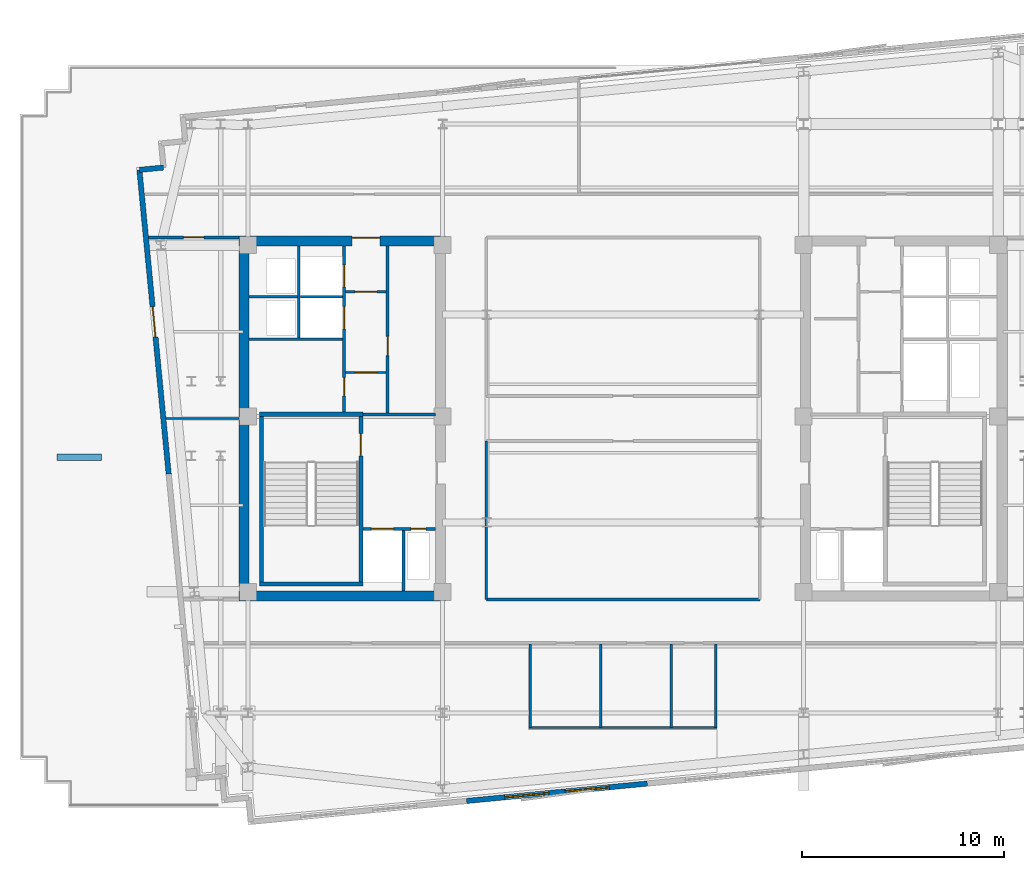
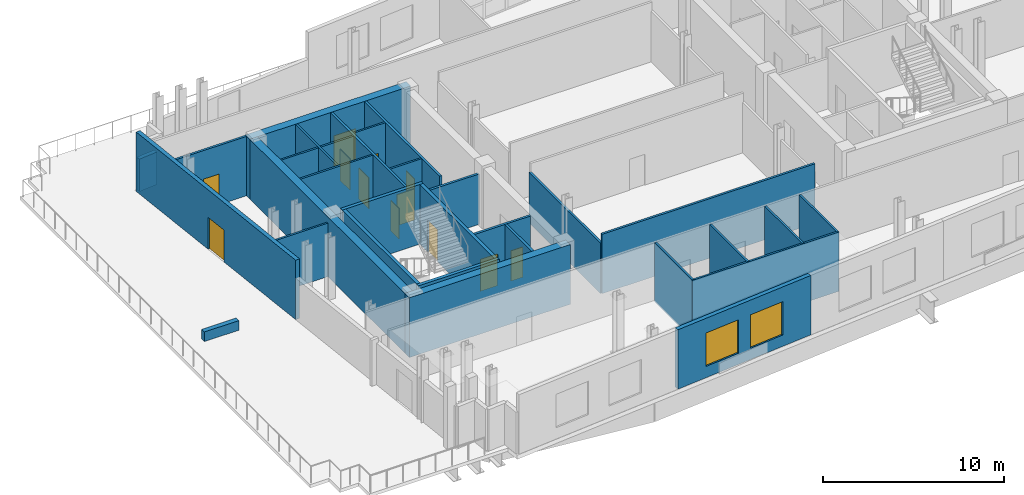
# One storey, part 5 of 11: 31 walls, 12 doors, 2 windows, 14 openings.
"""IFC4 building model written with IfcOpenShell, lengths in metres."""

from ifc_helpers import new_model, si_unit, direction, frame, frame_2d, origin, place, context, subcontext, project, spatial, rectangle, extrude, material, layer, layer_set, type_object, element, fill, save


model = new_model("IFC4")

# Units and contexts
model_context = context("Model", 3, precision=1e-05, world=origin(), true_north=direction((0.0, 1.0)))
body_context = subcontext(model_context, "Body", "Model", "MODEL_VIEW")
ifc_project = project(units=[si_unit("LENGTHUNIT", "METRE"), si_unit("AREAUNIT", "SQUARE_METRE"), si_unit("VOLUMEUNIT", "CUBIC_METRE"), si_unit("PLANEANGLEUNIT", "RADIAN"), si_unit("MASSUNIT", "GRAM", prefix="KILO")], contexts=[model_context])

# Site, building, storey
site_placement = place(None, origin())
site = spatial("IfcSite", under=ifc_project, at=site_placement, CompositionType="ELEMENT")
building_placement = place(site_placement, origin())
building = spatial("IfcBuilding", under=site, at=building_placement, Name="Velakula Bourse", CompositionType="ELEMENT")
storey_placement = place(building_placement, frame((0.0, 0.0, 247.5)))
storey = spatial("IfcBuildingStorey", under=building, at=storey_placement, Name="L67", CompositionType="ELEMENT", Elevation=247.5)

# Wall, opening, door
ifc_material_1 = material(Name="Concrete M50 (fck 50 MPa)", Category="concrete")
ifc_layer_1 = layer(ifc_material_1, 0.2099609375, Name="Concrete M50 (fck 50 MPa)", Category="concrete")
ifc_layer_set_1 = layer_set([ifc_layer_1], Name="Concrete M50 (fck 50 MPa)")
wall_type_1 = type_object("IfcWallType", Name="WL-CORE-210", PredefinedType="SHEAR", material=ifc_layer_set_1)
wall_1_placement = place(storey_placement, frame((-12.9951171875, -8.10009765625, 0.0), z_axis=(0.0, 0.0, 1.0), x_axis=(0.0, 1.0, 0.0)))
wall_1 = element("IfcWall", 1, at=wall_1_placement, inside=storey, type_object=wall_type_1, Name="L67 Core W Stairwell Shear Wall IN", PredefinedType="SHEAR", context=body_context, shape_type="SweptSolid", body=[
    extrude(rectangle(XDim=8.2001953125, YDim=0.2099609375, at=frame_2d((4.10009765625, 0.0))), origin(), (0.0, 0.0, 1.0), 4.02001953125),
])
opening_1_placement = place(wall_1_placement, frame((6.25, 0.0, 0.0)))
opening_1 = element("IfcOpeningElement", 2, at=opening_1_placement, cuts=wall_1, Name="Opening D-STW1", PredefinedType="OPENING", context=body_context, shape_type="SweptSolid", body=[
    extrude(rectangle(XDim=1.10009765625, YDim=2.14990234375, at=frame_2d((0.550048828125, 1.074951171875))), frame((0.0, 0.114990234375, 0.0), z_axis=(0.0, -1.0, 0.0), x_axis=(1.0, 0.0, 0.0)), (0.0, 0.0, 1.0), 0.22998046875),
])
ifc_material_2 = material(Name="Galvanised painted hollow steel fire door", Category="steel")
door_type_1 = type_object("IfcDoorType", Name="DR-FD120-1100x2150", OperationType="NOTDEFINED", PredefinedType="DOOR", material=ifc_material_2)
door_1_placement = place(opening_1_placement, origin())
door_1 = element("IfcDoor", 3, at=door_1_placement, inside=storey, type_object=door_type_1, Name="L67 Stair ST-W1 Fire Door", OperationType="SINGLE_SWING_LEFT", OverallHeight=2.14990234375, OverallWidth=1.10009765625, PredefinedType="DOOR", context=body_context, shape_type="SweptSolid", body=[
    extrude(rectangle(XDim=1.10009765625, YDim=2.14990234375, at=frame_2d((0.550048828125, 1.074951171875))), frame((0.0, 0.02490234375, 0.0), z_axis=(0.0, -1.0, 0.0), x_axis=(1.0, 0.0, 0.0)), (0.0, 0.0, 1.0), 0.050048828125),
])
fill(opening_1, door_1)

# Walls
wall_2_placement = place(storey_placement, frame((-17.925048828125, -8.10009765625, 0.0), z_axis=(0.0, 0.0, 1.0), x_axis=(0.0, 1.0, 0.0)))
element("IfcWall", 4, at=wall_2_placement, inside=storey, type_object=wall_type_1, Name="L67 Core W Stairwell Shear Wall OUT", PredefinedType="SHEAR", context=body_context, shape_type="SweptSolid", body=[
    extrude(rectangle(XDim=8.2001953125, YDim=0.2099609375, at=frame_2d((4.10009765625, 0.0))), origin(), (0.0, 0.0, 1.0), 4.02001953125),
])
for number, where, z_axis, x_axis, name in (
    (5, (-18.030029296875, -8.205078125, 0.0), (0.0, 0.0, 1.0), (1.0, 0.0, 0.0), "L67 Core W Stairwell Shear Wall S"),
    (6, (-12.889892578125, 0.205078125, 0.0), (0.0, 0.0, 1.0), (-1.0, 0.0, 0.0), "L67 Core W Stairwell Shear Wall N"),
):
    element("IfcWall", number, at=place(storey_placement, frame(where, z_axis=z_axis, x_axis=x_axis)), inside=storey, type_object=wall_type_1, Name=name, PredefinedType="SHEAR", context=body_context, shape_type="SweptSolid", body=[
        extrude(rectangle(XDim=5.14013671875, YDim=0.2099609375, at=frame_2d((2.570068359375, 0.0))), origin(), (0.0, 0.0, 1.0), 4.02001953125),
    ])
ifc_layer_2 = layer(ifc_material_1, 0.5, Name="Concrete M50 (fck 50 MPa)", Category="concrete")
ifc_layer_set_2 = layer_set([ifc_layer_2], Name="Concrete M50 (fck 50 MPa)")
wall_type_2 = type_object("IfcWallType", Name="WL-CORE-500", PredefinedType="SHEAR", material=ifc_layer_set_2)
wall_3_placement = place(storey_placement, frame((-19.050048828125, -8.800048828125, 0.0), z_axis=(0.0, 0.0, 1.0), x_axis=(1.0, 0.0, 0.0)))
element("IfcWall", 7, at=wall_3_placement, inside=storey, type_object=wall_type_2, Name="L67 Core W Shear Wall S", PredefinedType="SHEAR", context=body_context, shape_type="SweptSolid", body=[
    extrude(rectangle(XDim=10.25, YDim=0.5, at=frame_2d((5.125, 0.0))), origin(), (0.0, 0.0, 1.0), 4.02001953125),
])

# Wall, opening, door
wall_4_placement = place(storey_placement, frame((-19.050048828125, 8.800048828125, 0.0), z_axis=(0.0, 0.0, 1.0), x_axis=(1.0, 0.0, 0.0)))
wall_4 = element("IfcWall", 8, at=wall_4_placement, inside=storey, type_object=wall_type_2, Name="L67 Core W Shear Wall N", PredefinedType="SHEAR", context=body_context, shape_type="SweptSolid", body=[
    extrude(rectangle(XDim=10.25, YDim=0.5, at=frame_2d((5.125, 0.0))), origin(), (0.0, 0.0, 1.0), 4.02001953125),
])
opening_2_placement = place(wall_4_placement, frame((5.60009765625, 0.0, 0.0)))
opening_2 = element("IfcOpeningElement", 9, at=opening_2_placement, cuts=wall_4, Name="Opening D-LLW", PredefinedType="OPENING", context=body_context, shape_type="SweptSolid", body=[
    extrude(rectangle(XDim=1.39990234375, YDim=2.050048828125, at=frame_2d((0.699951171875, 1.02490234375))), frame((0.0, 0.260009765625, 0.0), z_axis=(0.0, -1.0, 0.0), x_axis=(1.0, 0.0, 0.0)), (0.0, 0.0, 1.0), 0.52001953125),
])
ifc_material_3 = material(Name="Fire-rated hardwood flush architectural door", Category="wood")
door_type_2 = type_object("IfcDoorType", Name="DR-DBL-FD60-1400", OperationType="DOUBLE_DOOR_SINGLE_SWING", PredefinedType="DOOR", material=ifc_material_3)
door_2_placement = place(opening_2_placement, origin())
door_2 = element("IfcDoor", 10, at=door_2_placement, inside=storey, type_object=door_type_2, Name="L67 Core W Lift Lobby Corridor Double Door", OperationType="DOUBLE_DOOR_SINGLE_SWING", OverallHeight=2.050048828125, OverallWidth=1.39990234375, PredefinedType="DOOR", context=body_context, shape_type="SweptSolid", body=[
    extrude(rectangle(XDim=1.39990234375, YDim=2.050048828125, at=frame_2d((0.699951171875, 1.02490234375))), frame((0.0, 0.19482421875, 0.0), z_axis=(0.0, -1.0, 0.0), x_axis=(1.0, 0.0, 0.0)), (0.0, 0.0, 1.0), 0.050048828125),
])
fill(opening_2, door_2)

# Wall
wall_5_placement = place(storey_placement, frame((-18.800048828125, -8.550048828125, 0.0), z_axis=(0.0, 0.0, 1.0), x_axis=(0.0, 1.0, 0.0)))
element("IfcWall", 11, at=wall_5_placement, inside=storey, type_object=wall_type_2, Name="L67 Core W Shear Wall W", PredefinedType="SHEAR", context=body_context, shape_type="SweptSolid", body=[
    extrude(rectangle(XDim=17.10009765625, YDim=0.5, at=frame_2d((8.550048828125, 0.0))), origin(), (0.0, 0.0, 1.0), 4.02001953125),
])

# Wall, openings, windows
ifc_material_4 = material(Name="Buff kilned clay facing brick masonry", Category="masonry")
ifc_layer_3 = layer(ifc_material_4, 0.260009765625, Name="Buff kilned clay facing brick masonry", Category="masonry")
ifc_layer_set_3 = layer_set([ifc_layer_3], Name="Buff kilned clay facing brick masonry")
wall_type_3 = type_object("IfcWallType", Name="WL-EXT-BRK-260", PredefinedType="STANDARD", material=ifc_layer_set_3)
wall_6_placement = place(storey_placement, frame((1.202880859375, -18.1005859375, 0.0), z_axis=(0.0, 0.0, 1.0), x_axis=(-0.995397043619, -0.095836973841, 0.0)))
wall_6 = element("IfcWall", 12, at=wall_6_placement, inside=storey, type_object=wall_type_3, Name="L67 S Brick Spandrel Wall B2", PredefinedType="STANDARD", context=body_context, shape_type="SweptSolid", body=[
    extrude(rectangle(XDim=9.000244140625, YDim=0.260009765625, at=frame_2d((4.5, 0.0))), origin(), (0.0, 0.0, 1.0), 4.0),
])
opening_3_placement = place(wall_6_placement, frame((1.89990234375, 0.0, 0.760009765625)))
opening_3 = element("IfcOpeningElement", 13, at=opening_3_placement, cuts=wall_6, Name="Opening W-08", PredefinedType="OPENING", context=body_context, shape_type="SweptSolid", body=[
    extrude(rectangle(XDim=2.199951171875, YDim=2.25, at=frame_2d((1.10009765625, 1.125))), frame((0.0, 0.139892578125, 0.0), z_axis=(0.0, -1.0, 0.0), x_axis=(1.0, 0.0, 0.0)), (0.0, 0.0, 1.0), 0.280029296875),
])
opening_4_placement = place(wall_6_placement, frame((4.89990234375, 0.0, 0.760009765625)))
opening_4 = element("IfcOpeningElement", 14, at=opening_4_placement, cuts=wall_6, Name="Opening W-08", PredefinedType="OPENING", context=body_context, shape_type="SweptSolid", body=[
    extrude(rectangle(XDim=2.199951171875, YDim=2.25, at=frame_2d((1.10009765625, 1.125))), frame((0.0, 0.139892578125, 0.0), z_axis=(0.0, -1.0, 0.0), x_axis=(1.0, 0.0, 0.0)), (0.0, 0.0, 1.0), 0.280029296875),
])
ifc_material_5 = material(Name="Double-glazed solar-control Low-E glass", Category="glass")
window_type = type_object("IfcWindowType", Name="WIN-SL-2200x2500", PartitioningType="DOUBLE_PANEL_VERTICAL", PredefinedType="WINDOW", material=ifc_material_5)
window_1_placement = place(opening_3_placement, origin())
window_1 = element("IfcWindow", 15, at=window_1_placement, inside=storey, type_object=window_type, Name="L67 Deep-Set Recessed Window 1", OverallHeight=2.25, OverallWidth=2.199951171875, PartitioningType="DOUBLE_PANEL_VERTICAL", PredefinedType="WINDOW", context=body_context, shape_type="SweptSolid", body=[
    extrude(rectangle(XDim=2.199951171875, YDim=2.25, at=frame_2d((1.10009765625, 1.125))), frame((0.0, 0.030029296875, 0.0), z_axis=(0.0, -1.0, 0.0), x_axis=(1.0, 0.0, 0.0)), (0.0, 0.0, 1.0), 0.06005859375),
])
fill(opening_3, window_1)
window_2_placement = place(opening_4_placement, origin())
window_2 = element("IfcWindow", 16, at=window_2_placement, inside=storey, type_object=window_type, Name="L67 Deep-Set Recessed Window 2", OverallHeight=2.25, OverallWidth=2.199951171875, PartitioningType="DOUBLE_PANEL_VERTICAL", PredefinedType="WINDOW", context=body_context, shape_type="SweptSolid", body=[
    extrude(rectangle(XDim=2.199951171875, YDim=2.25, at=frame_2d((1.10009765625, 1.125))), frame((0.0, 0.030029296875, 0.0), z_axis=(0.0, -1.0, 0.0), x_axis=(1.0, 0.0, 0.0)), (0.0, 0.0, 1.0), 0.06005859375),
])
fill(opening_4, window_2)

# Wall, opening, door
wall_7_placement = place(storey_placement, frame((-22.52734375, -2.75439453125, 0.0), z_axis=(0.0, 0.0, 1.0), x_axis=(-0.095850890337, 0.995395703638, 0.0)))
wall_7 = element("IfcWall", 17, at=wall_7_placement, inside=storey, type_object=wall_type_3, Name="L67 W Brick End Wall W2", PredefinedType="STANDARD", context=body_context, shape_type="SweptSolid", body=[
    extrude(rectangle(XDim=15.150146484375, YDim=0.260009765625, at=frame_2d((7.5751953125, 0.0))), origin(), (0.0, 0.0, 1.0), 4.0),
])
opening_5_placement = place(wall_7_placement, frame((6.824951171875, 0.0, 0.0)))
opening_5 = element("IfcOpeningElement", 18, at=opening_5_placement, cuts=wall_7, Name="Opening D-TR1", PredefinedType="OPENING", context=body_context, shape_type="SweptSolid", body=[
    extrude(rectangle(XDim=1.5, YDim=2.14990234375, at=frame_2d((0.75, 1.074951171875))), frame((0.0, 0.139892578125, 0.0), z_axis=(0.0, -1.0, 0.0), x_axis=(1.0, 0.0, 0.0)), (0.0, 0.0, 1.0), 0.280029296875),
])
ifc_material_6 = material(Name="Anodised bronze architectural aluminium", Category="aluminium")
door_type_3 = type_object("IfcDoorType", Name="DR-EXT-TERR-1500", OperationType="DOUBLE_DOOR_SINGLE_SWING", PredefinedType="DOOR", material=ifc_material_6)
door_3_placement = place(opening_5_placement, origin())
door_3 = element("IfcDoor", 19, at=door_3_placement, inside=storey, type_object=door_type_3, Name="L67 Sky-Garden Terrace Access Door 3", OperationType="DOUBLE_DOOR_SINGLE_SWING", OverallHeight=2.14990234375, OverallWidth=1.5, PredefinedType="DOOR", context=body_context, shape_type="SweptSolid", body=[
    extrude(rectangle(XDim=1.5, YDim=2.14990234375, at=frame_2d((0.75, 1.074951171875))), frame((0.0, 0.02490234375, 0.0), z_axis=(0.0, -1.0, 0.0), x_axis=(1.0, 0.0, 0.0)), (0.0, 0.0, 1.0), 0.050048828125),
])
fill(opening_5, door_3)

# Walls
wall_8_placement = place(storey_placement, frame((-22.784912109375, 12.44091796875, 0.0), z_axis=(0.0, 0.0, 1.0), x_axis=(-0.995398960025, -0.095817067274, 0.0)))
element("IfcWall", 20, at=wall_8_placement, inside=storey, type_object=wall_type_3, Name="L67 Serrated Corner Brick Wall NW-4", PredefinedType="STANDARD", context=body_context, shape_type="SweptSolid", body=[
    extrude(rectangle(XDim=1.2001953125, YDim=0.260009765625, at=frame_2d((0.60009765625, 0.0))), origin(), (0.0, 0.0, 1.0), 2.195068359375),
])
ifc_material_7 = material(Name="Red kilned clay facing brick masonry", Category="masonry")
ifc_layer_4 = layer(ifc_material_7, 0.300048828125, Name="Red kilned clay facing brick masonry", Category="masonry")
ifc_layer_set_4 = layer_set([ifc_layer_4], Name="Red kilned clay facing brick masonry")
wall_type_4 = type_object("IfcWallType", Name="WL-PAR-PLN-300", PredefinedType="PARAPET", material=ifc_layer_set_4)
wall_9_placement = place(storey_placement, frame((-28.068359375, -1.92236328125, 0.0), z_axis=(0.0, 0.0, 1.0), x_axis=(1.0, 0.0, 0.0)))
element("IfcWall", 21, at=wall_9_placement, inside=storey, type_object=wall_type_4, Name="L67 Sky-Garden Brick Planter 1", PredefinedType="PARAPET", context=body_context, shape_type="SweptSolid", body=[
    extrude(rectangle(XDim=2.199951171875, YDim=0.300048828125, at=frame_2d((1.10009765625, 0.0))), origin(), (0.0, 0.0, 1.0), 0.64990234375),
])

# Wall, opening, door
ifc_material_8 = material(Name="Fire-rated double-layer gypsum drywall partition", Category="gypsum")
ifc_layer_5 = layer(ifc_material_8, 0.1201171875, Name="Fire-rated double-layer gypsum drywall partition", Category="gypsum")
ifc_layer_set_5 = layer_set([ifc_layer_5], Name="Fire-rated double-layer gypsum drywall partition")
wall_type_5 = type_object("IfcWallType", Name="WL-PART-120", PredefinedType="STANDARD", material=ifc_layer_set_5)
wall_10_placement = place(storey_placement, frame((-13.75, 2.280029296875, 0.0), z_axis=(0.0, 0.0, 1.0), x_axis=(1.0, 0.0, 0.0)))
wall_10 = element("IfcWall", 22, at=wall_10_placement, inside=storey, type_object=wall_type_5, Name="L67 Interior Partition WL-CRW-L67-LL-K3A", PredefinedType="STANDARD", context=body_context, shape_type="SweptSolid", body=[
    extrude(rectangle(XDim=2.0, YDim=0.1201171875, at=frame_2d((1.0, 0.0))), origin(), (0.0, 0.0, 1.0), 4.0),
])
opening_6_placement = place(wall_10_placement, frame((0.449951171875, 0.0, 0.0)))
opening_6 = element("IfcOpeningElement", 23, at=opening_6_placement, cuts=wall_10, Name="Opening D-LK3", PredefinedType="OPENING", context=body_context, shape_type="SweptSolid", body=[
    extrude(rectangle(XDim=1.10009765625, YDim=2.10009765625, at=frame_2d((0.550048828125, 1.050048828125))), frame((0.0, 0.070068359375, 0.0), z_axis=(0.0, -1.0, 0.0), x_axis=(1.0, 0.0, 0.0)), (0.0, 0.0, 1.0), 0.14013671875),
])
door_type_4 = type_object("IfcDoorType", Name="DR-FD60-1100x2100", OperationType="NOTDEFINED", PredefinedType="DOOR", material=ifc_material_3)
door_4_placement = place(opening_6_placement, origin())
door_4 = element("IfcDoor", 24, at=door_4_placement, inside=storey, type_object=door_type_4, Name="L67 Core W Lift Lobby Vestibule Door A", OperationType="SINGLE_SWING_RIGHT", OverallHeight=2.10009765625, OverallWidth=1.10009765625, PredefinedType="DOOR", context=body_context, shape_type="SweptSolid", body=[
    extrude(rectangle(XDim=1.10009765625, YDim=2.10009765625, at=frame_2d((0.550048828125, 1.050048828125))), frame((0.0, 0.02490234375, 0.0), z_axis=(0.0, -1.0, 0.0), x_axis=(1.0, 0.0, 0.0)), (0.0, 0.0, 1.0), 0.050048828125),
])
fill(opening_6, door_4)

wall_11_placement = place(storey_placement, frame((-13.75, 6.280029296875, 0.0), z_axis=(0.0, 0.0, 1.0), x_axis=(1.0, 0.0, 0.0)))
wall_11 = element("IfcWall", 25, at=wall_11_placement, inside=storey, type_object=wall_type_5, Name="L67 Interior Partition WL-CRW-L67-LL-K3B", PredefinedType="STANDARD", context=body_context, shape_type="SweptSolid", body=[
    extrude(rectangle(XDim=2.0, YDim=0.1201171875, at=frame_2d((1.0, 0.0))), origin(), (0.0, 0.0, 1.0), 4.0),
])
opening_7_placement = place(wall_11_placement, frame((0.449951171875, 0.0, 0.0)))
opening_7 = element("IfcOpeningElement", 26, at=opening_7_placement, cuts=wall_11, Name="Opening D-LK3", PredefinedType="OPENING", context=body_context, shape_type="SweptSolid", body=[
    extrude(rectangle(XDim=1.10009765625, YDim=2.10009765625, at=frame_2d((0.550048828125, 1.050048828125))), frame((0.0, 0.070068359375, 0.0), z_axis=(0.0, -1.0, 0.0), x_axis=(1.0, 0.0, 0.0)), (0.0, 0.0, 1.0), 0.14013671875),
])
door_5_placement = place(opening_7_placement, origin())
door_5 = element("IfcDoor", 27, at=door_5_placement, inside=storey, type_object=door_type_4, Name="L67 Core W Lift Lobby Vestibule Door B", OperationType="SINGLE_SWING_RIGHT", OverallHeight=2.10009765625, OverallWidth=1.10009765625, PredefinedType="DOOR", context=body_context, shape_type="SweptSolid", body=[
    extrude(rectangle(XDim=1.10009765625, YDim=2.10009765625, at=frame_2d((0.550048828125, 1.050048828125))), frame((0.0, 0.02490234375, 0.0), z_axis=(0.0, -1.0, 0.0), x_axis=(1.0, 0.0, 0.0)), (0.0, 0.0, 1.0), 0.050048828125),
])
fill(opening_7, door_5)

# Walls
wall_12_placement = place(storey_placement, frame((-18.550048828125, 3.919921875, 0.0), z_axis=(0.0, 0.0, 1.0), x_axis=(1.0, 0.0, 0.0)))
element("IfcWall", 28, at=wall_12_placement, inside=storey, type_object=wall_type_5, Name="L67 Interior Partition WL-CRW-L67-HI-S", PredefinedType="STANDARD", context=body_context, shape_type="SweptSolid", body=[
    extrude(rectangle(XDim=4.650146484375, YDim=0.1201171875, at=frame_2d((2.3251953125, 0.0))), origin(), (0.0, 0.0, 1.0), 4.0),
])
wall_13_placement = place(storey_placement, frame((-18.550048828125, 6.030029296875, 0.0), z_axis=(0.0, 0.0, 1.0), x_axis=(1.0, 0.0, 0.0)))
element("IfcWall", 29, at=wall_13_placement, inside=storey, type_object=wall_type_5, Name="L67 Interior Partition WL-CRW-L67-RIS-MID", PredefinedType="STANDARD", context=body_context, shape_type="SweptSolid", body=[
    extrude(rectangle(XDim=2.400146484375, YDim=0.1201171875, at=frame_2d((1.2001953125, 0.0))), origin(), (0.0, 0.0, 1.0), 4.0),
])
wall_14_placement = place(storey_placement, frame((-16.074951171875, 3.97998046875, 0.0), z_axis=(0.0, 0.0, 1.0), x_axis=(0.0, 1.0, 0.0)))
element("IfcWall", 30, at=wall_14_placement, inside=storey, type_object=wall_type_5, Name="L67 Interior Partition WL-CRW-L67-RIS-F", PredefinedType="STANDARD", context=body_context, shape_type="SweptSolid", body=[
    extrude(rectangle(XDim=4.570068359375, YDim=0.1201171875, at=frame_2d((2.28515625, 0.0))), origin(), (0.0, 0.0, 1.0), 4.0),
])
wall_15_placement = place(storey_placement, frame((-16.0, 6.030029296875, 0.0), z_axis=(0.0, 0.0, 1.0), x_axis=(1.0, 0.0, 0.0)))
element("IfcWall", 31, at=wall_15_placement, inside=storey, type_object=wall_type_5, Name="L67 Interior Partition WL-CRW-L67-HI-DIV", PredefinedType="STANDARD", context=body_context, shape_type="SweptSolid", body=[
    extrude(rectangle(XDim=2.10009765625, YDim=0.1201171875, at=frame_2d((1.050048828125, 0.0))), origin(), (0.0, 0.0, 1.0), 4.0),
])
wall_16_placement = place(storey_placement, frame((-4.659912109375, -15.320068359375, 0.0), z_axis=(0.0, 0.0, 1.0), x_axis=(1.0, 0.0, 0.0)))
element("IfcWall", 32, at=wall_16_placement, inside=storey, type_object=wall_type_5, Name="L67 Interior Partition WL-WC-L67-BACK", PredefinedType="STANDARD", context=body_context, shape_type="SweptSolid", body=[
    extrude(rectangle(XDim=9.31982421875, YDim=0.1201171875, at=frame_2d((4.659912109375, 0.0))), origin(), (0.0, 0.0, 1.0), 4.0),
])
for number, where, z_axis, x_axis, name in (
    (33, (-4.60009765625, -15.320068359375, 0.0), (0.0, 0.0, 1.0), (0.0, 1.0, 0.0), "L67 Interior Partition WL-WC-L67-V1"),
    (34, (-1.10009765625, -15.320068359375, 0.0), (0.0, 0.0, 1.0), (0.0, 1.0, 0.0), "L67 Interior Partition WL-WC-L67-V2"),
    (35, (2.39990234375, -15.320068359375, 0.0), (0.0, 0.0, 1.0), (0.0, 1.0, 0.0), "L67 Interior Partition WL-WC-L67-V3"),
    (36, (4.60009765625, -15.320068359375, 0.0), (0.0, 0.0, 1.0), (0.0, 1.0, 0.0), "L67 Interior Partition WL-WC-L67-V4"),
):
    element("IfcWall", number, at=place(storey_placement, frame(where, z_axis=z_axis, x_axis=x_axis)), inside=storey, type_object=wall_type_5, Name=name, PredefinedType="STANDARD", context=body_context, shape_type="SweptSolid", body=[
        extrude(rectangle(XDim=4.130126953125, YDim=0.1201171875, at=frame_2d((2.06494140625, 0.0))), origin(), (0.0, 0.0, 1.0), 4.0),
    ])
wall_17_placement = place(storey_placement, frame((-22.661865234375, 0.0, 0.0), z_axis=(0.0, 0.0, 1.0), x_axis=(1.0, 0.0, 0.0)))
element("IfcWall", 37, at=wall_17_placement, inside=storey, type_object=wall_type_5, Name="L67 Interior Partition WL-INT-L67-W-H", PredefinedType="STANDARD", context=body_context, shape_type="SweptSolid", body=[
    extrude(rectangle(XDim=3.61181640625, YDim=0.1201171875, at=frame_2d((1.805908203125, 0.0))), origin(), (0.0, 0.0, 1.0), 3.594970703125),
])

# Wall, opening, door
ifc_layer_6 = layer(ifc_material_8, 0.139892578125, Name="Fire-rated double-layer gypsum drywall partition", Category="gypsum")
ifc_layer_set_6 = layer_set([ifc_layer_6], Name="Fire-rated double-layer gypsum drywall partition")
wall_type_6 = type_object("IfcWallType", Name="WL-PART-140", PredefinedType="STANDARD", material=ifc_layer_set_6)
wall_18_placement = place(storey_placement, frame((-23.526611328125, 8.97998046875, 0.0), z_axis=(0.0, 0.0, 1.0), x_axis=(1.0, 0.0, 0.0)))
wall_18 = element("IfcWall", 38, at=wall_18_placement, inside=storey, type_object=wall_type_6, Name="L67 Interior Partition WL-INT-L67-W-NC", PredefinedType="STANDARD", context=body_context, shape_type="SweptSolid", body=[
    extrude(rectangle(XDim=4.4765625, YDim=0.139892578125, at=frame_2d((2.23828125, 0.0))), origin(), (0.0, 0.0, 1.0), 4.0),
])
opening_8_placement = place(wall_18_placement, frame((1.73828125, 0.0, 0.0)))
opening_8 = element("IfcOpeningElement", 39, at=opening_8_placement, cuts=wall_18, Name="Opening D-OF1", PredefinedType="OPENING", context=body_context, shape_type="SweptSolid", body=[
    extrude(rectangle(XDim=1.0, YDim=2.080078125, at=frame_2d((0.5, 1.0400390625))), frame((0.0, 0.079833984375, 0.0), z_axis=(0.0, -1.0, 0.0), x_axis=(1.0, 0.0, 0.0)), (0.0, 0.0, 1.0), 0.159912109375),
])
door_type_5 = type_object("IfcDoorType", Name="DR-OFF-1000", OperationType="NOTDEFINED", PredefinedType="DOOR", material=ifc_material_3)
door_6_placement = place(opening_8_placement, origin())
door_6 = element("IfcDoor", 40, at=door_6_placement, inside=storey, type_object=door_type_5, Name="L67 Asset Allocation Office Door", OperationType="SINGLE_SWING_RIGHT", OverallHeight=2.080078125, OverallWidth=1.0, PredefinedType="DOOR", context=body_context, shape_type="SweptSolid", body=[
    extrude(rectangle(XDim=1.0, YDim=2.080078125, at=frame_2d((0.5, 1.0400390625))), frame((0.0, 0.02490234375, 0.0), z_axis=(0.0, -1.0, 0.0), x_axis=(1.0, 0.0, 0.0)), (0.0, 0.0, 1.0), 0.050048828125),
])
fill(opening_8, door_6)

# Walls
wall_19_placement = place(storey_placement, frame((-6.780029296875, -8.97998046875, 0.0), z_axis=(0.0, 0.0, 1.0), x_axis=(1.0, 0.0, 0.0)))
element("IfcWall", 41, at=wall_19_placement, inside=storey, type_object=wall_type_6, Name="L67 Interior Partition WL-INT-L67-MS-OUT", PredefinedType="STANDARD", context=body_context, shape_type="SweptSolid", body=[
    extrude(rectangle(XDim=13.56005859375, YDim=0.139892578125, at=frame_2d((6.780029296875, 0.0))), origin(), (0.0, 0.0, 1.0), 4.0),
])
wall_20_placement = place(storey_placement, frame((-6.780029296875, -8.97998046875, 0.0), z_axis=(0.0, 0.0, 1.0), x_axis=(0.0, 1.0, 0.0)))
element("IfcWall", 42, at=wall_20_placement, inside=storey, type_object=wall_type_6, Name="L67 Interior Partition WL-INT-L67-MS-W", PredefinedType="STANDARD", context=body_context, shape_type="SweptSolid", body=[
    extrude(rectangle(XDim=7.85986328125, YDim=0.139892578125, at=frame_2d((3.929931640625, 0.0))), origin(), (0.0, 0.0, 1.0), 3.39501953125),
])

# Wall, openings, doors
ifc_material_9 = material(Name="Autoclaved aerated concrete blockwork masonry", Category="masonry")
ifc_layer_7 = layer(ifc_material_9, 0.14990234375, Name="Autoclaved aerated concrete blockwork masonry", Category="masonry")
ifc_layer_set_7 = layer_set([ifc_layer_7], Name="Autoclaved aerated concrete blockwork masonry")
wall_type_7 = type_object("IfcWallType", Name="WL-SHAFT-150", PredefinedType="STANDARD", material=ifc_layer_set_7)
wall_21_placement = place(storey_placement, frame((-12.89501953125, -5.47509765625, 0.0), z_axis=(0.0, 0.0, 1.0), x_axis=(1.0, 0.0, 0.0)))
wall_21 = element("IfcWall", 43, at=wall_21_placement, inside=storey, type_object=wall_type_7, Name="L67 Interior Partition WL-CRW-L67-FFL-N", PredefinedType="STANDARD", context=body_context, shape_type="SweptSolid", body=[
    extrude(rectangle(XDim=3.594970703125, YDim=0.14990234375, at=frame_2d((1.79736328125, 0.0))), origin(), (0.0, 0.0, 1.0), 4.0),
])
opening_9_placement = place(wall_21_placement, frame((0.419921875, 0.0, 0.0)))
opening_9 = element("IfcOpeningElement", 44, at=opening_9_placement, cuts=wall_21, Name="Opening LD-FFL-1", PredefinedType="OPENING", context=body_context, shape_type="SweptSolid", body=[
    extrude(rectangle(XDim=1.10009765625, YDim=2.14990234375, at=frame_2d((0.550048828125, 1.074951171875))), frame((0.0, 0.0849609375, 0.0), z_axis=(0.0, -1.0, 0.0), x_axis=(1.0, 0.0, 0.0)), (0.0, 0.0, 1.0), 0.169921875),
])
opening_10_placement = place(wall_21_placement, frame((2.3701171875, 0.0, 0.0)))
opening_10 = element("IfcOpeningElement", 45, at=opening_10_placement, cuts=wall_21, Name="Opening D-RS1", PredefinedType="OPENING", context=body_context, shape_type="SweptSolid", body=[
    extrude(rectangle(XDim=0.75, YDim=2.050048828125, at=frame_2d((0.375, 1.02490234375))), frame((0.0, 0.0849609375, 0.0), z_axis=(0.0, -1.0, 0.0), x_axis=(1.0, 0.0, 0.0)), (0.0, 0.0, 1.0), 0.169921875),
])
door_type_6 = type_object("IfcDoorType", Name="DR-RISER-800", OperationType="NOTDEFINED", PredefinedType="DOOR", material=ifc_material_2)
door_7_placement = place(opening_10_placement, origin())
door_7 = element("IfcDoor", 46, at=door_7_placement, inside=storey, type_object=door_type_6, Name="L67 Fire Riser Access Door", OperationType="SINGLE_SWING_LEFT", OverallHeight=2.050048828125, OverallWidth=0.75, PredefinedType="DOOR", context=body_context, shape_type="SweptSolid", body=[
    extrude(rectangle(XDim=0.75, YDim=2.050048828125, at=frame_2d((0.375, 1.02490234375))), frame((0.0, 0.02490234375, 0.0), z_axis=(0.0, -1.0, 0.0), x_axis=(1.0, 0.0, 0.0)), (0.0, 0.0, 1.0), 0.050048828125),
])
fill(opening_10, door_7)
ifc_material_10 = material(Name="Brushed grade 316 stainless steel", Category="steel")
door_type_7 = type_object("IfcDoorType", Name="DR-SLIDE-FFL-1100", OperationType="DOUBLE_DOOR_SLIDING", PredefinedType="DOOR", material=ifc_material_10)
door_8_placement = place(opening_9_placement, origin())
door_8 = element("IfcDoor", 47, at=door_8_placement, inside=storey, type_object=door_type_7, Name="L67 Firefighting Lift FFL-1 Sliding Landing Door", OperationType="DOUBLE_DOOR_SLIDING", OverallHeight=2.14990234375, OverallWidth=1.10009765625, PredefinedType="DOOR", context=body_context, shape_type="SweptSolid", body=[
    extrude(rectangle(XDim=1.10009765625, YDim=2.14990234375, at=frame_2d((0.550048828125, 1.074951171875))), frame((0.0, 0.02490234375, 0.0), z_axis=(0.0, -1.0, 0.0), x_axis=(1.0, 0.0, 0.0)), (0.0, 0.0, 1.0), 0.050048828125),
])
fill(opening_9, door_8)

# Walls
wall_22_placement = place(storey_placement, frame((-10.875, -8.550048828125, 0.0), z_axis=(0.0, 0.0, 1.0), x_axis=(0.0, 1.0, 0.0)))
element("IfcWall", 48, at=wall_22_placement, inside=storey, type_object=wall_type_7, Name="L67 Interior Partition WL-CRW-L67-FR-DIV", PredefinedType="STANDARD", context=body_context, shape_type="SweptSolid", body=[
    extrude(rectangle(XDim=3.0, YDim=0.14990234375, at=frame_2d((1.5, 0.0))), origin(), (0.0, 0.0, 1.0), 4.0),
])
wall_23_placement = place(storey_placement, frame((-12.889892578125, 0.18994140625, 0.0), z_axis=(0.0, 0.0, 1.0), x_axis=(1.0, 0.0, 0.0)))
element("IfcWall", 49, at=wall_23_placement, inside=storey, type_object=wall_type_7, Name="L67 Interior Partition WL-CRW-L67-FF-TOP", PredefinedType="STANDARD", context=body_context, shape_type="SweptSolid", body=[
    extrude(rectangle(XDim=3.58984375, YDim=0.14990234375, at=frame_2d((1.794921875, 0.0))), origin(), (0.0, 0.0, 1.0), 3.39501953125),
])

# Wall, opening, door
wall_24_placement = place(storey_placement, frame((-11.675048828125, 0.27001953125, 0.0), z_axis=(0.0, 0.0, 1.0), x_axis=(0.0, 1.0, 0.0)))
wall_24 = element("IfcWall", 50, at=wall_24_placement, inside=storey, type_object=wall_type_7, Name="L67 Interior Partition WL-CRW-L67-BANK-F", PredefinedType="STANDARD", context=body_context, shape_type="SweptSolid", body=[
    extrude(rectangle(XDim=8.280029296875, YDim=0.14990234375, at=frame_2d((4.14013671875, 0.0))), origin(), (0.0, 0.0, 1.0), 4.0),
])
opening_11_placement = place(wall_24_placement, frame((2.85009765625, 0.0, 0.0)))
opening_11 = element("IfcOpeningElement", 51, at=opening_11_placement, cuts=wall_24, Name="Opening D-RC4", PredefinedType="OPENING", context=body_context, shape_type="SweptSolid", body=[
    extrude(rectangle(XDim=0.949951171875, YDim=2.050048828125, at=frame_2d((0.47509765625, 1.02490234375))), frame((0.0, 0.0849609375, 0.0), z_axis=(0.0, -1.0, 0.0), x_axis=(1.0, 0.0, 0.0)), (0.0, 0.0, 1.0), 0.169921875),
])
door_type_8 = type_object("IfcDoorType", Name="DR-FD60-950x2050", OperationType="NOTDEFINED", PredefinedType="DOOR", material=ifc_material_3)
door_9_placement = place(opening_11_placement, origin())
door_9 = element("IfcDoor", 52, at=door_9_placement, inside=storey, type_object=door_type_8, Name="L67 Reclaimed Multi-Bay Archive Room Door", OperationType="SINGLE_SWING_RIGHT", OverallHeight=2.050048828125, OverallWidth=0.949951171875, PredefinedType="DOOR", context=body_context, shape_type="SweptSolid", body=[
    extrude(rectangle(XDim=0.949951171875, YDim=2.050048828125, at=frame_2d((0.47509765625, 1.02490234375))), frame((0.0, 0.02490234375, 0.0), z_axis=(0.0, -1.0, 0.0), x_axis=(1.0, 0.0, 0.0)), (0.0, 0.0, 1.0), 0.050048828125),
])
fill(opening_11, door_9)

# Wall, openings, doors
wall_25_placement = place(storey_placement, frame((-13.824951171875, 0.27001953125, 0.0), z_axis=(0.0, 0.0, 1.0), x_axis=(0.0, 1.0, 0.0)))
wall_25 = element("IfcWall", 53, at=wall_25_placement, inside=storey, type_object=wall_type_7, Name="L67 Interior Partition WL-CRW-L67-OUT-F", PredefinedType="STANDARD", context=body_context, shape_type="SweptSolid", body=[
    extrude(rectangle(XDim=8.280029296875, YDim=0.14990234375, at=frame_2d((4.14013671875, 0.0))), origin(), (0.0, 0.0, 1.0), 4.0),
])
opening_12_placement = place(wall_25_placement, frame((4.175048828125, 0.0, 0.0)))
opening_12 = element("IfcOpeningElement", 54, at=opening_12_placement, cuts=wall_25, Name="Opening LD-P9", PredefinedType="OPENING", context=body_context, shape_type="SweptSolid", body=[
    extrude(rectangle(XDim=1.10009765625, YDim=2.10009765625, at=frame_2d((0.550048828125, 1.050048828125))), frame((0.0, 0.0849609375, 0.0), z_axis=(0.0, -1.0, 0.0), x_axis=(1.0, 0.0, 0.0)), (0.0, 0.0, 1.0), 0.169921875),
])
opening_13_placement = place(wall_25_placement, frame((6.2451171875, 0.0, 0.0)))
opening_13 = element("IfcOpeningElement", 55, at=opening_13_placement, cuts=wall_25, Name="Opening LD-P10", PredefinedType="OPENING", context=body_context, shape_type="SweptSolid", body=[
    extrude(rectangle(XDim=1.10009765625, YDim=2.10009765625, at=frame_2d((0.550048828125, 1.050048828125))), frame((0.0, 0.0849609375, 0.0), z_axis=(0.0, -1.0, 0.0), x_axis=(1.0, 0.0, 0.0)), (0.0, 0.0, 1.0), 0.169921875),
])
opening_14_placement = place(wall_25_placement, frame((0.85009765625, 0.0, 0.0)))
opening_14 = element("IfcOpeningElement", 56, at=opening_14_placement, cuts=wall_25, Name="Opening D-CR3", PredefinedType="OPENING", context=body_context, shape_type="SweptSolid", body=[
    extrude(rectangle(XDim=0.89990234375, YDim=2.050048828125, at=frame_2d((0.449951171875, 1.02490234375))), frame((0.0, 0.0849609375, 0.0), z_axis=(0.0, -1.0, 0.0), x_axis=(1.0, 0.0, 0.0)), (0.0, 0.0, 1.0), 0.169921875),
])
door_type_9 = type_object("IfcDoorType", Name="DR-INT-900", OperationType="NOTDEFINED", PredefinedType="DOOR", material=ifc_material_3)
door_10_placement = place(opening_14_placement, origin())
door_10 = element("IfcDoor", 57, at=door_10_placement, inside=storey, type_object=door_type_9, Name="L67 Core Stationery and Mail Room Door", OperationType="SINGLE_SWING_LEFT", OverallHeight=2.050048828125, OverallWidth=0.89990234375, PredefinedType="DOOR", context=body_context, shape_type="SweptSolid", body=[
    extrude(rectangle(XDim=0.89990234375, YDim=2.050048828125, at=frame_2d((0.449951171875, 1.02490234375))), frame((0.0, 0.02490234375, 0.0), z_axis=(0.0, -1.0, 0.0), x_axis=(1.0, 0.0, 0.0)), (0.0, 0.0, 1.0), 0.050048828125),
])
fill(opening_14, door_10)
door_type_10 = type_object("IfcDoorType", Name="DR-SLIDE-LD-1100", OperationType="DOUBLE_DOOR_SLIDING", PredefinedType="DOOR", material=ifc_material_10)
door_11_placement = place(opening_12_placement, origin())
door_11 = element("IfcDoor", 58, at=door_11_placement, inside=storey, type_object=door_type_10, Name="L67 Passenger Lift P9 Sliding Landing Door", OperationType="DOUBLE_DOOR_SLIDING", OverallHeight=2.10009765625, OverallWidth=1.10009765625, PredefinedType="DOOR", context=body_context, shape_type="SweptSolid", body=[
    extrude(rectangle(XDim=1.10009765625, YDim=2.10009765625, at=frame_2d((0.550048828125, 1.050048828125))), frame((0.0, 0.02490234375, 0.0), z_axis=(0.0, -1.0, 0.0), x_axis=(1.0, 0.0, 0.0)), (0.0, 0.0, 1.0), 0.050048828125),
])
fill(opening_12, door_11)
door_12_placement = place(opening_13_placement, origin())
door_12 = element("IfcDoor", 59, at=door_12_placement, inside=storey, type_object=door_type_10, Name="L67 Passenger Lift P10 Sliding Landing Door", OperationType="DOUBLE_DOOR_SLIDING", OverallHeight=2.10009765625, OverallWidth=1.10009765625, PredefinedType="DOOR", context=body_context, shape_type="SweptSolid", body=[
    extrude(rectangle(XDim=1.10009765625, YDim=2.10009765625, at=frame_2d((0.550048828125, 1.050048828125))), frame((0.0, 0.02490234375, 0.0), z_axis=(0.0, -1.0, 0.0), x_axis=(1.0, 0.0, 0.0)), (0.0, 0.0, 1.0), 0.050048828125),
])
fill(opening_13, door_12)

save(model, "model.ifc")
